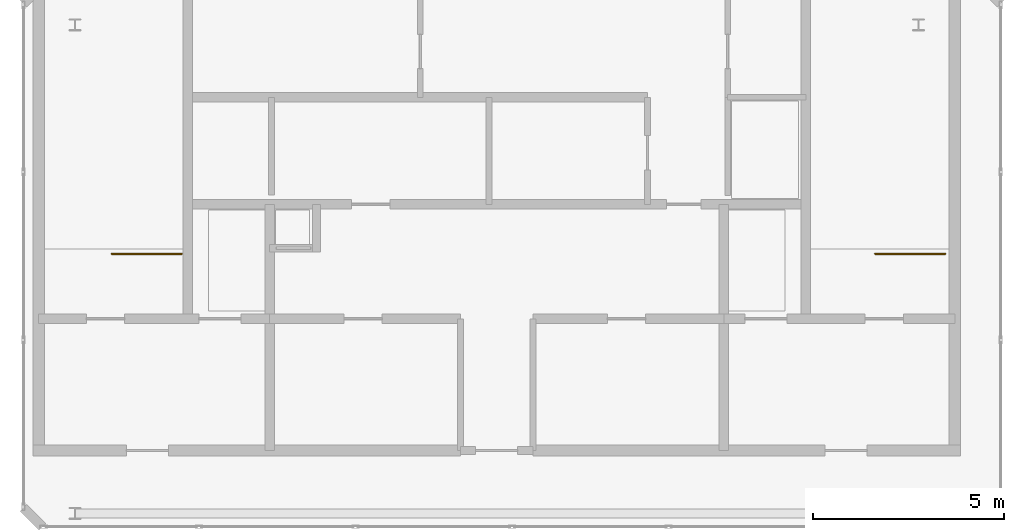
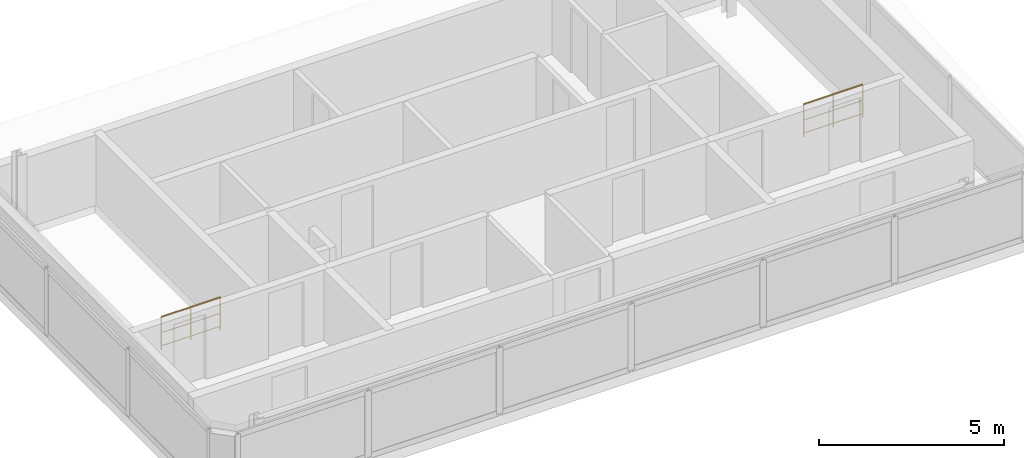
# One storey, part 9 of 9: 2 railings.
"""IFC4 building model written with IfcOpenShell, lengths in metres."""

import ifcopenshell
import ifcopenshell.guid

model = None  # the IFC model being written
_history = None  # IfcOwnerHistory: only IFC2X3 demands one
_inside = {}  # id of a spatial element -> (the spatial element, [elements in it])
_under = {}  # id of a project, library or spatial element -> (it, [spatial elements below it])
_declared = {}  # id of a project -> (the project, [libraries it declares])
_typed = {}  # id of a type object -> (the type object, [elements of that type])
_made_of = {}  # id of a material, layer set ... -> (it, [elements and type objects made of it])


def new_model(schema):
    """Start an empty IFC model of exactly this schema.

    Asked for "IFC4X3", IfcOpenShell would pick the latest addendum, in which some entities
    have other attributes; the version numbers below select the first issue.
    IFC2X3 requires an IfcOwnerHistory on every rooted entity: one is made here for all.
    """
    global model, _history
    if schema == "IFC4X3":
        model = ifcopenshell.file(schema_version=(4, 3, 0, 0))
    else:
        model = ifcopenshell.file(schema=schema)
    _inside.clear()
    _under.clear()
    _declared.clear()
    _typed.clear()
    _made_of.clear()
    _history = None
    if model.schema == "IFC2X3":
        org = make("IfcOrganization", Name="unknown")
        user = make(
            "IfcPersonAndOrganization",
            ThePerson=make("IfcPerson", FamilyName="unknown"),
            TheOrganization=org,
        )
        app = make(
            "IfcApplication",
            ApplicationDeveloper=org,
            Version="unknown",
            ApplicationFullName="unknown",
            ApplicationIdentifier="unknown",
        )
        _history = make(
            "IfcOwnerHistory",
            OwningUser=user,
            OwningApplication=app,
            ChangeAction="ADDED",
            CreationDate=0,
        )
    return model


def make(cls, **values):
    """One entity of the class cls with the attributes given. An attribute that is None is left unset."""
    return model.create_entity(
        cls, **{name: value for name, value in values.items() if value is not None}
    )


def rooted(cls, **values):
    """An entity with a GlobalId (a new one), such as an element, a storey or a relation."""
    return make(cls, GlobalId=ifcopenshell.guid.new(), OwnerHistory=_history, **values)


def si_unit(unit_type, name, prefix=None):
    """IfcSIUnit, for example si_unit("LENGTHUNIT", "METRE", prefix="MILLI")."""
    return make("IfcSIUnit", UnitType=unit_type, Prefix=prefix, Name=name)


def assignment(units):
    """IfcUnitAssignment: the units of a project."""
    return None if units is None else make("IfcUnitAssignment", Units=units)


def point(xyz):
    """IfcCartesianPoint."""
    return None if xyz is None else make("IfcCartesianPoint", Coordinates=xyz)


def direction(xyz):
    """IfcDirection."""
    return None if xyz is None else make("IfcDirection", DirectionRatios=xyz)


def frame(location, z_axis=None, x_axis=None):
    """IfcAxis2Placement3D, a coordinate frame: its origin and axes. An axis left out is left unset."""
    return make(
        "IfcAxis2Placement3D",
        Location=point(location),
        Axis=direction(z_axis),
        RefDirection=direction(x_axis),
    )


def frame_2d(location, x_axis=None):
    """IfcAxis2Placement2D, a coordinate frame in the plane: its origin and x axis."""
    return make(
        "IfcAxis2Placement2D", Location=point(location), RefDirection=direction(x_axis)
    )


def origin():
    """The frame at (0, 0, 0) with its axes left unset."""
    return frame((0.0, 0.0, 0.0))


def origin_2d():
    """The frame at (0, 0) in the plane with its x axis left unset."""
    return frame_2d((0.0, 0.0))


def place(relative_to, where):
    """IfcLocalPlacement: puts the frame where relative to a parent placement (None: the world)."""
    return make(
        "IfcLocalPlacement", PlacementRelTo=relative_to, RelativePlacement=where
    )


def context(
    kind, dimensions, precision=None, world=None, true_north=None, identifier=None
):
    """IfcGeometricRepresentationContext, for example the 3D "Model" context."""
    return make(
        "IfcGeometricRepresentationContext",
        ContextIdentifier=identifier,
        ContextType=kind,
        CoordinateSpaceDimension=dimensions,
        Precision=precision,
        WorldCoordinateSystem=world,
        TrueNorth=true_north,
    )


def subcontext(parent, identifier, kind, view, scale=None):
    """IfcGeometricRepresentationSubContext, for example "Body" below "Model"."""
    return make(
        "IfcGeometricRepresentationSubContext",
        ContextIdentifier=identifier,
        ContextType=kind,
        ParentContext=parent,
        TargetScale=scale,
        TargetView=view,
    )


def project(units=None, contexts=None):
    """IfcProject with its units and contexts."""
    return rooted(
        "IfcProject",
        Name="project",
        RepresentationContexts=contexts,
        UnitsInContext=assignment(units),
    )


def spatial(cls, under=None, at=None, **own):
    """A site, building, storey or space (cls), placed at a placement, below another one or the project."""
    s = rooted(cls, ObjectPlacement=at, **own)
    if under is not None:
        _under.setdefault(under.id(), (under, []))[1].append(s)
    return s


def profile(cls, at=None, kind="AREA", **sizes):
    """A parametric profile (cls). Its sizes go by their IFC names, for example OverallWidth=200.0."""
    return make(cls, ProfileType=kind, Position=at, **sizes)


def circle(**sizes):
    """IfcCircleProfileDef."""
    return profile("IfcCircleProfileDef", **sizes)


def extrude(swept, where, along, depth):
    """IfcExtrudedAreaSolid: the profile swept, set in the frame where, extruded along a direction by depth."""
    return make(
        "IfcExtrudedAreaSolid",
        SweptArea=swept,
        Position=where,
        ExtrudedDirection=direction(along),
        Depth=depth,
    )


def shape(context_of_items, identifier, shape_type, items):
    """IfcShapeRepresentation: the items that make up one representation, for example the "Body"."""
    return make(
        "IfcShapeRepresentation",
        ContextOfItems=context_of_items,
        RepresentationIdentifier=identifier,
        RepresentationType=shape_type,
        Items=items,
    )


def material(Name=None, Category=None):
    """IfcMaterial."""
    return make("IfcMaterial", Name=Name, Category=Category)


def made_of(thing, what):
    """Note that an element or type object is made of a material, layer set ...; save() writes the relation."""
    if what is not None:
        _made_of.setdefault(what.id(), (what, []))[1].append(thing)
    return thing


def type_object(cls, material=None, **own):
    """A type object (cls), such as IfcWallType, which elements share."""
    return made_of(rooted(cls, **own), material)


def element(
    cls,
    number,
    at=None,
    inside=None,
    cuts=None,
    type_object=None,
    material=None,
    context=None,
    identifier="Body",
    shape_type=None,
    held_by="IfcProductDefinitionShape",
    body=None,
    shapes=None,
    **own,
):
    """One element of the class cls, such as IfcWall. Its Tag is "e" and its number.

    at: its placement. inside: the storey or other place that contains it. cuts: it is an
    opening in that element (IfcRelVoidsElement). A single representation is given by context,
    identifier, shape_type and body (its items); several are given by shapes. held_by: the class
    of the entity that holds the representations. save() writes the other relations.
    """
    e = rooted(cls, Tag="e%d" % number, ObjectPlacement=at, **own)
    if body is not None:
        shapes = [shape(context, identifier, shape_type, body)]
    if shapes is not None:
        e.Representation = make(held_by, Representations=shapes)
    if inside is not None:
        _inside.setdefault(inside.id(), (inside, []))[1].append(e)
    if cuts is not None:
        rooted(
            "IfcRelVoidsElement", RelatingBuildingElement=cuts, RelatedOpeningElement=e
        )
    if type_object is not None:
        _typed.setdefault(type_object.id(), (type_object, []))[1].append(e)
    return made_of(e, material)


def aggregate(whole, parts):
    """IfcRelAggregates: a whole, such as a stair, and the parts it consists of."""
    return rooted("IfcRelAggregates", RelatingObject=whole, RelatedObjects=parts)


def save(model, path):
    """Write the relations noted so far, then the file.

    IfcRelAggregates (storeys below a building ...), IfcRelContainedInSpatialStructure (elements
    in a storey), IfcRelDefinesByType, IfcRelAssociatesMaterial and IfcRelDeclares: one each for
    every whole, place, type object, material and project.
    """
    for whole, parts in _under.values():
        aggregate(whole, parts)
    for where, things in _inside.values():
        rooted(
            "IfcRelContainedInSpatialStructure",
            RelatedElements=things,
            RelatingStructure=where,
        )
    for kind, things in _typed.values():
        rooted("IfcRelDefinesByType", RelatedObjects=things, RelatingType=kind)
    for what, things in _made_of.values():
        rooted("IfcRelAssociatesMaterial", RelatedObjects=things, RelatingMaterial=what)
    for by, libraries in _declared.values():
        rooted("IfcRelDeclares", RelatingContext=by, RelatedDefinitions=libraries)
    model.write(path)


model = new_model("IFC4")

# Units and contexts
model_context = context("Model", 3, precision=1e-05, world=origin(), true_north=direction((0.0, 1.0)))
body_context = subcontext(model_context, "Body", "Model", "MODEL_VIEW")
ifc_project = project(units=[si_unit("LENGTHUNIT", "METRE"), si_unit("AREAUNIT", "SQUARE_METRE"), si_unit("VOLUMEUNIT", "CUBIC_METRE"), si_unit("PLANEANGLEUNIT", "RADIAN"), si_unit("MASSUNIT", "GRAM", prefix="KILO")], contexts=[model_context])

# Site, building, storey
site_placement = place(None, origin())
site = spatial("IfcSite", under=ifc_project, at=site_placement, CompositionType="ELEMENT")
building_placement = place(site_placement, origin())
building = spatial("IfcBuilding", under=site, at=building_placement, Name="Catumbela Crestline Tower", CompositionType="ELEMENT")
storey_placement = place(building_placement, frame((0.0, 0.0, 318.5)))
storey = spatial("IfcBuildingStorey", under=building, at=storey_placement, Name="L82", CompositionType="ELEMENT", Elevation=318.5)

# Railings
ifc_material = material(Name="Stainless steel EN 1.4401", Category="steel")
railing_type = type_object("IfcRailingType", Name="RG-1100", PredefinedType="GUARDRAIL", material=ifc_material)
for number, where, name in (
    (1, (19.75, 35.95, 0.0), "L82 ST-01 top well guard 1"),
    (2, (39.75, 35.95, 0.0), "L82 ST-02 top well guard 1"),
):
    element("IfcRailing", number, at=place(storey_placement, frame(where)), inside=storey, type_object=railing_type, Name=name, PredefinedType="GUARDRAIL", context=body_context, shape_type="SweptSolid", body=[
        extrude(circle(Radius=0.024, at=origin_2d()), frame((0.0, 0.0, 1.076), z_axis=(-1.0, 0.0, 0.0), x_axis=(0.0, -1.0, 0.0)), (0.0, 0.0, 1.0), 1.84),
        extrude(circle(Radius=0.0156, at=origin_2d()), frame((0.0, 0.0, 0.55), z_axis=(-1.0, 0.0, 0.0), x_axis=(0.0, -1.0, 0.0)), (0.0, 0.0, 1.0), 1.84),
        extrude(circle(Radius=0.0156, at=origin_2d()), frame((0.0, 0.0, 0.12), z_axis=(-1.0, 0.0, 0.0), x_axis=(0.0, -1.0, 0.0)), (0.0, 0.0, 1.0), 1.84),
        extrude(circle(Radius=0.021, at=origin_2d()), origin(), (0.0, 0.0, 1.0), 1.052),
        extrude(circle(Radius=0.021, at=origin_2d()), frame((-0.92, 0.0, 0.0)), (0.0, 0.0, 1.0), 1.052),
        extrude(circle(Radius=0.021, at=origin_2d()), frame((-1.84, 0.0, 0.0)), (0.0, 0.0, 1.0), 1.052),
    ])

save(model, "model.ifc")
